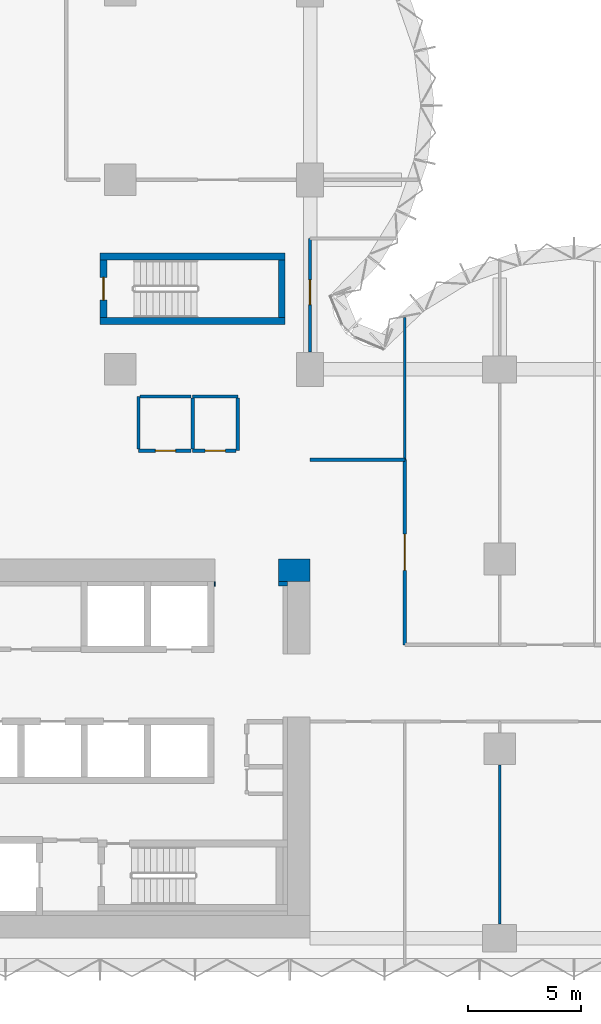
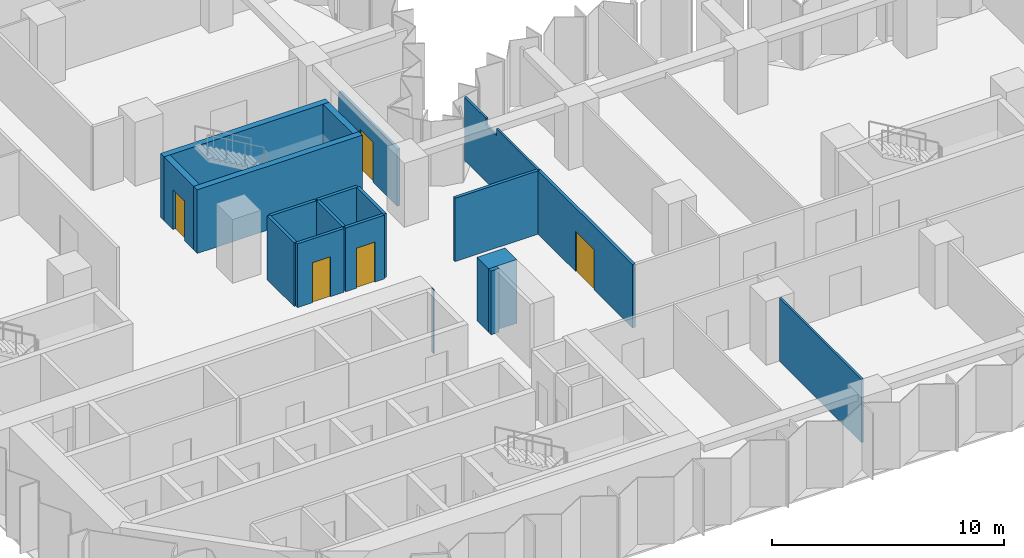
# One storey, part 9 of 15: 19 walls, 5 doors, 5 openings.
"""IFC4 building model written with IfcOpenShell, lengths in metres."""

from ifc_helpers import new_model, si_unit, direction, frame, frame_2d, origin, place, context, subcontext, project, spatial, polyline, rectangle, outline, extrude, material, layer, layer_set, type_object, element, fill, save


model = new_model("IFC4")

# Units and contexts
model_context = context("Model", 3, precision=1e-05, world=origin(), true_north=direction((0.0, 1.0)))
body_context = subcontext(model_context, "Body", "Model", "MODEL_VIEW")
ifc_project = project(units=[si_unit("LENGTHUNIT", "METRE"), si_unit("AREAUNIT", "SQUARE_METRE"), si_unit("VOLUMEUNIT", "CUBIC_METRE"), si_unit("PLANEANGLEUNIT", "RADIAN"), si_unit("MASSUNIT", "GRAM", prefix="KILO")], contexts=[model_context])

# Site, building, storey
site_placement = place(None, origin())
site = spatial("IfcSite", under=ifc_project, at=site_placement, CompositionType="ELEMENT")
building_placement = place(site_placement, origin())
building = spatial("IfcBuilding", under=site, at=building_placement, Name="Brevane Broadcast Tower", CompositionType="ELEMENT")
storey_placement = place(building_placement, frame((0.0, 0.0, 61.699951171875)))
storey = spatial("IfcBuildingStorey", under=building, at=storey_placement, Name="L13", CompositionType="ELEMENT", Elevation=61.699951171875)

# Walls
ifc_material_1 = material(Name="Concrete C32/40", Category="concrete")
ifc_layer_1 = layer(ifc_material_1, 0.199951171875)
ifc_layer_set_1 = layer_set([ifc_layer_1], Name="Core chase wall 200 mm")
wall_type_1 = type_object("IfcWallType", Name="Core chase wall 200 mm", PredefinedType="PARTITIONING", material=ifc_layer_set_1)
wall_1_placement = place(storey_placement, frame((23.800048828125, 15.699951171875, 0.0), z_axis=(0.0, 0.0, 1.0), x_axis=(1.0, 0.0, 0.0)))
element("IfcWall", 1, at=wall_1_placement, inside=storey, type_object=wall_type_1, Name="L13 chase wall LN2", PredefinedType="PARTITIONING", context=body_context, shape_type="SweptSolid", body=[
    extrude(rectangle(XDim=0.39990234375, YDim=0.199951171875, at=frame_2d((0.199951171875, 0.0))), origin(), (0.0, 0.0, 1.0), 3.35009765625),
])
wall_2_placement = place(storey_placement, frame((20.949951171875, 15.699951171875, 0.0), z_axis=(0.0, 0.0, 1.0), x_axis=(1.0, 0.0, 0.0)))
element("IfcWall", 2, at=wall_2_placement, inside=storey, type_object=wall_type_1, Name="L13 chase wall LN1-2-2-2-2", PredefinedType="PARTITIONING", context=body_context, shape_type="SweptSolid", body=[
    extrude(rectangle(XDim=0.050048828125, YDim=0.199951171875, at=frame_2d((0.02490234375, 0.0))), origin(), (0.0, 0.0, 1.0), 3.35009765625),
])
ifc_material_2 = material(Name="Gypsum board on steel studs", Category="steel")
ifc_layer_2 = layer(ifc_material_2, 0.14990234375)
ifc_layer_set_2 = layer_set([ifc_layer_2], Name="Core fire partition 150 mm")
wall_type_2 = type_object("IfcWallType", Name="Core fire partition 150 mm", PredefinedType="PARTITIONING", material=ifc_layer_set_2)
wall_3_placement = place(storey_placement, frame((20.0, 24.0, 0.0), z_axis=(0.0, 0.0, 1.0), x_axis=(1.0, 0.0, 0.0)))
element("IfcWall", 3, at=wall_3_placement, inside=storey, type_object=wall_type_2, Name="L13 partition wall P15", PredefinedType="PARTITIONING", context=body_context, shape_type="SweptSolid", body=[
    extrude(rectangle(XDim=2.0, YDim=0.14990234375, at=frame_2d((1.0, 0.0))), origin(), (0.0, 0.0, 1.0), 3.35009765625),
])
wall_4_placement = place(storey_placement, frame((22.0, 23.925048828125, 0.0), z_axis=(0.0, 0.0, 1.0), x_axis=(0.0, -1.0, 0.0)))
element("IfcWall", 4, at=wall_4_placement, inside=storey, type_object=wall_type_2, Name="L13 partition wall P16", PredefinedType="PARTITIONING", context=body_context, shape_type="SweptSolid", body=[
    extrude(rectangle(XDim=2.324951171875, YDim=0.14990234375, at=frame_2d((1.16259765625, 0.0))), origin(), (0.0, 0.0, 1.0), 3.35009765625),
])

# Wall, opening, door
wall_5_placement = place(storey_placement, frame((21.925048828125, 21.60009765625, 0.0), z_axis=(0.0, 0.0, 1.0), x_axis=(-1.0, 0.0, 0.0)))
wall_5 = element("IfcWall", 5, at=wall_5_placement, inside=storey, type_object=wall_type_2, Name="L13 partition wall P17", PredefinedType="PARTITIONING", context=body_context, shape_type="SweptSolid", body=[
    extrude(rectangle(XDim=1.925048828125, YDim=0.14990234375, at=frame_2d((0.96240234375, 0.0))), origin(), (0.0, 0.0, 1.0), 3.35009765625),
])
opening_1_placement = place(wall_5_placement, frame((0.47509765625, 0.0, 0.0)))
opening_1 = element("IfcOpeningElement", 6, at=opening_1_placement, cuts=wall_5, Name="Opening L13-K24", PredefinedType="OPENING", context=body_context, shape_type="SweptSolid", body=[
    extrude(rectangle(XDim=0.89990234375, YDim=2.10009765625, at=frame_2d((0.449951171875, 1.050048828125))), frame((0.0, 0.0849609375, 0.0), z_axis=(0.0, -1.0, 0.0), x_axis=(1.0, 0.0, 0.0)), (0.0, 0.0, 1.0), 0.169921875),
])
ifc_material_3 = material(Name="Timber", Category="wood")
door_type_1 = type_object("IfcDoorType", Name="Toilet door 900 x 2100", OperationType="SINGLE_SWING_LEFT", PredefinedType="DOOR", material=ifc_material_3)
door_1_placement = place(opening_1_placement, origin())
door_1 = element("IfcDoor", 7, at=door_1_placement, inside=storey, type_object=door_type_1, Name="Door L13-K24", OperationType="SINGLE_SWING_LEFT", OverallHeight=2.10009765625, OverallWidth=0.89990234375, PredefinedType="DOOR", context=body_context, shape_type="SweptSolid", body=[
    extrude(rectangle(XDim=0.89990234375, YDim=2.10009765625, at=frame_2d((0.449951171875, 1.050048828125))), frame((0.0, 0.02490234375, 0.0), z_axis=(0.0, -1.0, 0.0), x_axis=(1.0, 0.0, 0.0)), (0.0, 0.0, 1.0), 0.050048828125),
])
fill(opening_1, door_1)

# Wall
wall_6_placement = place(storey_placement, frame((20.0, 21.675048828125, 0.0), z_axis=(0.0, 0.0, 1.0), x_axis=(0.0, 1.0, 0.0)))
element("IfcWall", 8, at=wall_6_placement, inside=storey, type_object=wall_type_2, Name="L13 partition wall P18", PredefinedType="PARTITIONING", context=body_context, shape_type="SweptSolid", body=[
    extrude(rectangle(XDim=2.25, YDim=0.14990234375, at=frame_2d((1.125, 0.0))), origin(), (0.0, 0.0, 1.0), 3.35009765625),
])

# Wall, opening, door
wall_7_placement = place(storey_placement, frame((19.925048828125, 21.60009765625, 0.0), z_axis=(0.0, 0.0, 1.0), x_axis=(-1.0, 0.0, 0.0)))
wall_7 = element("IfcWall", 9, at=wall_7_placement, inside=storey, type_object=wall_type_2, Name="L13 partition wall P19", PredefinedType="PARTITIONING", context=body_context, shape_type="SweptSolid", body=[
    extrude(rectangle(XDim=2.324951171875, YDim=0.14990234375, at=frame_2d((1.16259765625, 0.0))), origin(), (0.0, 0.0, 1.0), 3.35009765625),
])
opening_2_placement = place(wall_7_placement, frame((0.675048828125, 0.0, 0.0)))
opening_2 = element("IfcOpeningElement", 10, at=opening_2_placement, cuts=wall_7, Name="Opening L13-K25", PredefinedType="OPENING", context=body_context, shape_type="SweptSolid", body=[
    extrude(rectangle(XDim=0.89990234375, YDim=2.10009765625, at=frame_2d((0.449951171875, 1.050048828125))), frame((0.0, 0.0849609375, 0.0), z_axis=(0.0, -1.0, 0.0), x_axis=(1.0, 0.0, 0.0)), (0.0, 0.0, 1.0), 0.169921875),
])
ifc_material_4 = material(Name="Steel", Category="steel")
door_type_2 = type_object("IfcDoorType", Name="Service room door 900 x 2100", OperationType="SINGLE_SWING_LEFT", PredefinedType="DOOR", material=ifc_material_4)
door_2_placement = place(opening_2_placement, origin())
door_2 = element("IfcDoor", 11, at=door_2_placement, inside=storey, type_object=door_type_2, Name="Door L13-K25", OperationType="SINGLE_SWING_RIGHT", OverallHeight=2.10009765625, OverallWidth=0.89990234375, PredefinedType="DOOR", context=body_context, shape_type="SweptSolid", body=[
    extrude(rectangle(XDim=0.89990234375, YDim=2.10009765625, at=frame_2d((0.449951171875, 1.050048828125))), frame((0.0, 0.02490234375, 0.0), z_axis=(0.0, -1.0, 0.0), x_axis=(1.0, 0.0, 0.0)), (0.0, 0.0, 1.0), 0.050048828125),
])
fill(opening_2, door_2)

# Walls
wall_8_placement = place(storey_placement, frame((17.60009765625, 21.675048828125, 0.0), z_axis=(0.0, 0.0, 1.0), x_axis=(0.0, 1.0, 0.0)))
element("IfcWall", 12, at=wall_8_placement, inside=storey, type_object=wall_type_2, Name="L13 partition wall P20", PredefinedType="PARTITIONING", context=body_context, shape_type="SweptSolid", body=[
    extrude(rectangle(XDim=2.324951171875, YDim=0.14990234375, at=frame_2d((1.16259765625, 0.0))), origin(), (0.0, 0.0, 1.0), 3.35009765625),
])
wall_9_placement = place(storey_placement, frame((17.675048828125, 24.0, 0.0), z_axis=(0.0, 0.0, 1.0), x_axis=(1.0, 0.0, 0.0)))
element("IfcWall", 13, at=wall_9_placement, inside=storey, type_object=wall_type_2, Name="L13 partition wall P21", PredefinedType="PARTITIONING", context=body_context, shape_type="SweptSolid", body=[
    extrude(rectangle(XDim=2.25, YDim=0.14990234375, at=frame_2d((1.125, 0.0))), origin(), (0.0, 0.0, 1.0), 3.35009765625),
])
ifc_material_5 = material(Name="Concrete C80/95", Category="concrete")
ifc_layer_3 = layer(ifc_material_5, 1.0)
ifc_layer_set_3 = layer_set([ifc_layer_3], Name="Core wall 1000 mm C80/95")
wall_type_3 = type_object("IfcWallType", Name="Core wall 1000 mm C80/95", PredefinedType="SHEAR", material=ifc_layer_set_3)
wall_10_placement = place(storey_placement, frame((23.800048828125, 16.300048828125, 0.0), z_axis=(0.0, 0.0, 1.0), x_axis=(1.0, 0.0, 0.0)))
element("IfcWall", 14, at=wall_10_placement, inside=storey, type_object=wall_type_3, Name="L13 outer wall WN2", PredefinedType="SHEAR", context=body_context, shape_type="SweptSolid", body=[
    extrude(rectangle(XDim=1.39990234375, YDim=1.0, at=frame_2d((0.699951171875, 0.0))), origin(), (0.0, 0.0, 1.0), 3.35009765625),
])
ifc_layer_4 = layer(ifc_material_5, 0.300048828125)
ifc_layer_set_4 = layer_set([ifc_layer_4], Name="Core wall 300 mm C80/95")
wall_type_4 = type_object("IfcWallType", Name="Core wall 300 mm C80/95", PredefinedType="SHEAR", material=ifc_layer_set_4)
for number, where, z_axis, x_axis, name in (
    (15, (15.89990234375, 27.35009765625, 0.0), (0.0, 0.0, 1.0), (1.0, 0.0, 0.0), "L13 stair wall ST-3-S"),
    (16, (15.89990234375, 30.199951171875, 0.0), (0.0, 0.0, 1.0), (1.0, 0.0, 0.0), "L13 stair wall ST-3-N"),
):
    element("IfcWall", number, at=place(storey_placement, frame(where, z_axis=z_axis, x_axis=x_axis)), inside=storey, type_object=wall_type_4, Name=name, PredefinedType="SHEAR", context=body_context, shape_type="SweptSolid", body=[
        extrude(rectangle(XDim=8.2001953125, YDim=0.300048828125, at=frame_2d((4.10009765625, 0.0))), origin(), (0.0, 0.0, 1.0), 3.35009765625),
    ])

# Wall, opening, door
wall_11_placement = place(storey_placement, frame((16.050048828125, 27.5, 0.0), z_axis=(0.0, 0.0, 1.0), x_axis=(0.0, 1.0, 0.0)))
wall_11 = element("IfcWall", 17, at=wall_11_placement, inside=storey, type_object=wall_type_4, Name="L13 stair wall ST-3-W", PredefinedType="SHEAR", context=body_context, shape_type="SweptSolid", body=[
    extrude(rectangle(XDim=2.550048828125, YDim=0.300048828125, at=frame_2d((1.27490234375, 0.0))), origin(), (0.0, 0.0, 1.0), 3.35009765625),
])
opening_3_placement = place(wall_11_placement, frame((0.77490234375, 0.0, 0.0)))
opening_3 = element("IfcOpeningElement", 18, at=opening_3_placement, cuts=wall_11, Name="Opening L13-K14", PredefinedType="OPENING", context=body_context, shape_type="SweptSolid", body=[
    extrude(rectangle(XDim=1.0, YDim=2.10009765625, at=frame_2d((0.5, 1.050048828125))), frame((0.0, 0.159912109375, 0.0), z_axis=(0.0, -1.0, 0.0), x_axis=(1.0, 0.0, 0.0)), (0.0, 0.0, 1.0), 0.320068359375),
])
door_type_3 = type_object("IfcDoorType", Name="Stair door 1000 x 2100", OperationType="SINGLE_SWING_LEFT", PredefinedType="DOOR", material=ifc_material_4)
door_3_placement = place(opening_3_placement, origin())
door_3 = element("IfcDoor", 19, at=door_3_placement, inside=storey, type_object=door_type_3, Name="Door L13-K14", OperationType="SINGLE_SWING_LEFT", OverallHeight=2.10009765625, OverallWidth=1.0, PredefinedType="DOOR", context=body_context, shape_type="SweptSolid", body=[
    extrude(rectangle(XDim=1.0, YDim=2.10009765625, at=frame_2d((0.5, 1.050048828125))), frame((0.0, 0.02490234375, 0.0), z_axis=(0.0, -1.0, 0.0), x_axis=(1.0, 0.0, 0.0)), (0.0, 0.0, 1.0), 0.050048828125),
])
fill(opening_3, door_3)

# Walls
wall_12_placement = place(storey_placement, frame((23.949951171875, 27.5, 0.0), z_axis=(0.0, 0.0, 1.0), x_axis=(0.0, 1.0, 0.0)))
element("IfcWall", 20, at=wall_12_placement, inside=storey, type_object=wall_type_4, Name="L13 stair wall ST-3-E", PredefinedType="SHEAR", context=body_context, shape_type="SweptSolid", body=[
    extrude(rectangle(XDim=2.550048828125, YDim=0.300048828125, at=frame_2d((1.27490234375, 0.0))), origin(), (0.0, 0.0, 1.0), 3.35009765625),
])
ifc_material_6 = material(Name="Gypsum board partition")
ifc_layer_5 = layer(ifc_material_6, 0.10009765625)
ifc_layer_set_5 = layer_set([ifc_layer_5], Name="PARTITION 100 STUD")
wall_type_5 = type_object("IfcWallType", Name="PARTITION 100 STUD", PredefinedType="PARTITIONING", material=ifc_layer_set_5)
wall_13_placement = place(storey_placement, frame((29.39990234375, 27.510986328125, 0.0), z_axis=(0.0, 0.0, 1.0), x_axis=(0.0, -1.0, 0.0)))
element("IfcWall", 21, at=wall_13_placement, inside=storey, type_object=wall_type_5, Name="Partition G03-004", PredefinedType="PARTITIONING", context=body_context, shape_type="SweptSolid", body=[
    extrude(outline(polyline([(0.0, 0.0), (6.31103515625, 0.0), (6.31103515625, 3.330078125), (2.760986328125, 3.330078125), (2.759033203125, 2.97998046875), (1.863037109375, 2.97998046875), (1.861083984375, 3.330078125), (0.236083984375, 3.330078125), (0.0, 3.330078125), (0.0, 0.0)])), frame((0.0, 0.050048828125, 0.0), z_axis=(0.0, -1.0, 0.0), x_axis=(1.0, 0.0, 0.0)), (0.0, 0.0, 1.0), 0.10009765625),
])
wall_14_placement = place(storey_placement, frame((33.60009765625, 7.679931640625, 0.0), z_axis=(0.0, 0.0, 1.0), x_axis=(0.0, -1.0, 0.0)))
element("IfcWall", 22, at=wall_14_placement, inside=storey, type_object=wall_type_5, Name="Partition G03-022", PredefinedType="PARTITIONING", context=body_context, shape_type="SweptSolid", body=[
    extrude(rectangle(XDim=7.059814453125, YDim=0.10009765625, at=frame_2d((3.52978515625, 0.0))), origin(), (0.0, 0.0, 1.0), 3.330078125),
])
ifc_layer_6 = layer(ifc_material_6, 0.14990234375)
ifc_layer_set_6 = layer_set([ifc_layer_6], Name="PARTITION 150 EI 60")
wall_type_6 = type_object("IfcWallType", Name="PARTITION 150 EI 60", PredefinedType="PARTITIONING", material=ifc_layer_set_6)
wall_15_placement = place(storey_placement, frame((25.199951171875, 21.199951171875, 0.0), z_axis=(0.0, 0.0, 1.0), x_axis=(1.0, 0.0, 0.0)))
element("IfcWall", 23, at=wall_15_placement, inside=storey, type_object=wall_type_6, Name="Partition G03-001", PredefinedType="PARTITIONING", context=body_context, shape_type="SweptSolid", body=[
    extrude(rectangle(XDim=4.199951171875, YDim=0.14990234375, at=frame_2d((2.10009765625, 0.0))), origin(), (0.0, 0.0, 1.0), 3.330078125),
])

# Wall, opening, door
wall_16_placement = place(storey_placement, frame((29.39990234375, 21.199951171875, 0.0), z_axis=(0.0, 0.0, 1.0), x_axis=(0.0, -1.0, 0.0)))
wall_16 = element("IfcWall", 24, at=wall_16_placement, inside=storey, type_object=wall_type_6, Name="Partition G03-003", PredefinedType="PARTITIONING", context=body_context, shape_type="SweptSolid", body=[
    extrude(rectangle(XDim=8.199951171875, YDim=0.14990234375, at=frame_2d((4.10009765625, 0.0))), origin(), (0.0, 0.0, 1.0), 3.330078125),
])
opening_4_placement = place(wall_16_placement, frame((3.300048828125, 0.0, 0.0)))
opening_4 = element("IfcOpeningElement", 25, at=opening_4_placement, cuts=wall_16, Name="Opening D09-010", PredefinedType="OPENING", context=body_context, shape_type="SweptSolid", body=[
    extrude(rectangle(XDim=1.60009765625, YDim=2.10009765625, at=frame_2d((0.800048828125, 1.050048828125))), frame((0.0, 0.0849609375, 0.0), z_axis=(0.0, -1.0, 0.0), x_axis=(1.0, 0.0, 0.0)), (0.0, 0.0, 1.0), 0.169921875),
])
ifc_material_7 = material(Name="Fire-rated timber door leaf", Category="wood")
door_type_4 = type_object("IfcDoorType", Name="DOOR DOUBLE 1600 FD30S", OperationType="DOUBLE_DOOR_SINGLE_SWING", PredefinedType="DOOR", material=ifc_material_7)
door_4_placement = place(opening_4_placement, origin())
door_4 = element("IfcDoor", 26, at=door_4_placement, inside=storey, type_object=door_type_4, Name="Door D09-010", OperationType="DOUBLE_DOOR_SINGLE_SWING", OverallHeight=2.10009765625, OverallWidth=1.60009765625, PredefinedType="DOOR", context=body_context, shape_type="SweptSolid", body=[
    extrude(rectangle(XDim=1.60009765625, YDim=2.10009765625, at=frame_2d((0.800048828125, 1.050048828125))), frame((0.0, 0.02490234375, 0.0), z_axis=(0.0, -1.0, 0.0), x_axis=(1.0, 0.0, 0.0)), (0.0, 0.0, 1.0), 0.050048828125),
])
fill(opening_4, door_4)

wall_17_placement = place(storey_placement, frame((25.199951171875, 31.0, 0.0), z_axis=(0.0, 0.0, 1.0), x_axis=(0.0, -1.0, 0.0)))
wall_17 = element("IfcWall", 27, at=wall_17_placement, inside=storey, type_object=wall_type_6, Name="Partition G03-005", PredefinedType="PARTITIONING", context=body_context, shape_type="SweptSolid", body=[
    extrude(outline(polyline([(0.0, 0.0), (5.030029296875, 0.0), (5.030029296875, 2.97998046875), (0.0, 2.97998046875), (0.0, 0.0)])), frame((0.0, 0.074951171875, 0.0), z_axis=(0.0, -1.0, 0.0), x_axis=(1.0, 0.0, 0.0)), (0.0, 0.0, 1.0), 0.14990234375),
])
opening_5_placement = place(wall_17_placement, frame((1.830078125, 0.0, 0.0)))
opening_5 = element("IfcOpeningElement", 28, at=opening_5_placement, cuts=wall_17, Name="Opening D09-001", PredefinedType="OPENING", context=body_context, shape_type="SweptSolid", body=[
    extrude(rectangle(XDim=1.10009765625, YDim=2.10009765625, at=frame_2d((0.550048828125, 1.050048828125))), frame((0.0, 0.0849609375, 0.0), z_axis=(0.0, -1.0, 0.0), x_axis=(1.0, 0.0, 0.0)), (0.0, 0.0, 1.0), 0.169921875),
])
door_type_5 = type_object("IfcDoorType", Name="DOOR SINGLE 1100 FD30S", OperationType="SINGLE_SWING_LEFT", PredefinedType="DOOR", material=ifc_material_7)
door_5_placement = place(opening_5_placement, origin())
door_5 = element("IfcDoor", 29, at=door_5_placement, inside=storey, type_object=door_type_5, Name="Door D09-001", OperationType="SINGLE_SWING_RIGHT", OverallHeight=2.10009765625, OverallWidth=1.10009765625, PredefinedType="DOOR", context=body_context, shape_type="SweptSolid", body=[
    extrude(rectangle(XDim=1.10009765625, YDim=2.10009765625, at=frame_2d((0.550048828125, 1.050048828125))), frame((0.0, 0.02490234375, 0.0), z_axis=(0.0, -1.0, 0.0), x_axis=(1.0, 0.0, 0.0)), (0.0, 0.0, 1.0), 0.050048828125),
])
fill(opening_5, door_5)

save(model, "model.ifc")
